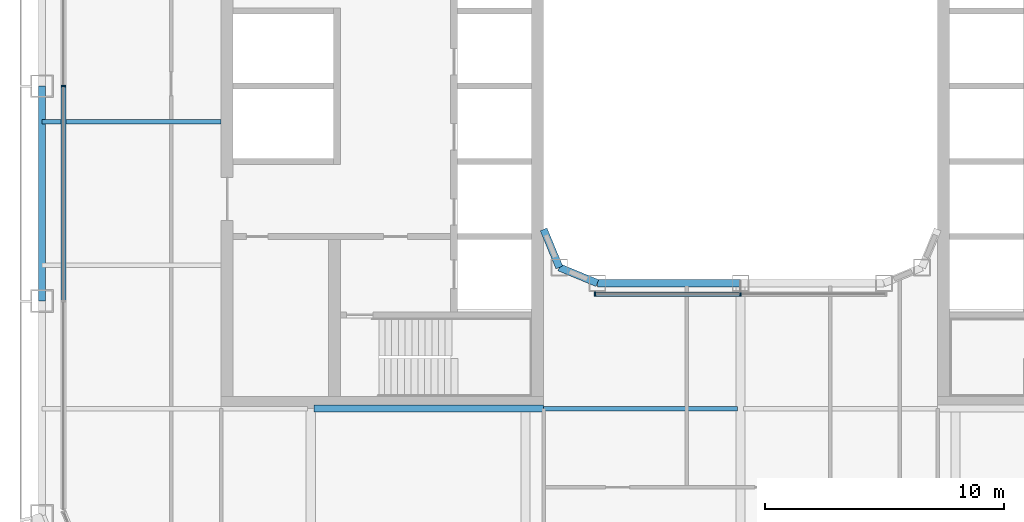
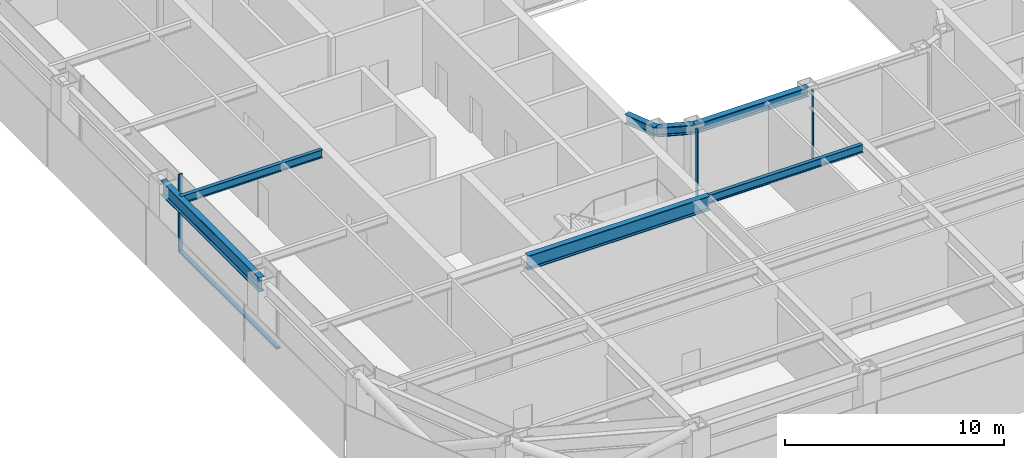
# One storey, part 3 of 23: 7 beams, 5 members, 2 elements without a shape of their own.
"""IFC4 building model written with IfcOpenShell, lengths in metres."""

from ifc_helpers import new_model, si_unit, direction, frame, origin, origin_2d, place, context, subcontext, project, spatial, rectangle, i_section, extrude, material, layer, layer_set, material_profile, profile_set, type_object, element, aggregate, save


model = new_model("IFC4")

# Units and contexts
model_context = context("Model", 3, precision=1e-05, world=origin(), true_north=direction((0.0, 1.0)))
body_context = subcontext(model_context, "Body", "Model", "MODEL_VIEW")
ifc_project = project(units=[si_unit("LENGTHUNIT", "METRE"), si_unit("AREAUNIT", "SQUARE_METRE"), si_unit("VOLUMEUNIT", "CUBIC_METRE"), si_unit("PLANEANGLEUNIT", "RADIAN"), si_unit("MASSUNIT", "GRAM", prefix="KILO")], contexts=[model_context])

# Site, building, storey
site_placement = place(None, origin())
site = spatial("IfcSite", under=ifc_project, at=site_placement, CompositionType="ELEMENT")
building_placement = place(site_placement, origin())
building = spatial("IfcBuilding", under=site, at=building_placement, Name="Siwar Civic Tower", CompositionType="ELEMENT")
storey_placement = place(building_placement, frame((0.0, 0.0, 131.699951171875)))
storey = spatial("IfcBuildingStorey", under=building, at=storey_placement, Name="L28", CompositionType="ELEMENT", Elevation=131.699951171875)

# Curtain wall, member
ifc_material_1 = material(Name="Aluminium and glass", Category="aluminium")
ifc_layer_1 = layer(ifc_material_1, 0.199951171875)
ifc_layer_set_1 = layer_set([ifc_layer_1], Name="Aluminium and glass")
curtain_wall_type_1 = type_object("IfcCurtainWallType", Name="ENV-CW-B", PredefinedType="NOTDEFINED", material=ifc_layer_set_1)
curtain_wall_1_placement = place(storey_placement, origin())
curtain_wall_1 = element("IfcCurtainWall", 1, at=curtain_wall_1_placement, inside=storey, type_object=curtain_wall_type_1, Name="Curtain wall B W", PredefinedType="NOTDEFINED")
ifc_material_2 = material(Name="Aluminium 6063-T6", Category="aluminium")
ifc_material_profile_1 = material_profile(ifc_material_2, rectangle(XDim=0.199951171875, YDim=0.06494140625, at=origin_2d()), Name="AL 200x65")
ifc_profile_set_1 = profile_set([ifc_material_profile_1], Name="Aluminium 6063-T6")
member_type_1 = type_object("IfcMemberType", Name="ENV-MULLION-B", PredefinedType="MULLION", material=ifc_profile_set_1)
member_1_placement = place(storey_placement, frame((-28.35009765625, 0.0, 0.0), z_axis=(0.0, 0.0, 1.0), x_axis=(1.0, 0.0, 0.0)))
member_1 = element("IfcMember", 2, at=member_1_placement, type_object=member_type_1, Name="Mullion B W 3", PredefinedType="MULLION", context=body_context, shape_type="SweptSolid", body=[
    extrude(rectangle(XDim=0.199951171875, YDim=0.06494140625, at=origin_2d()), origin(), (0.0, 0.0, 1.0), 4.35009765625),
])

# Curtain wall, members
ifc_material_3 = material(Name="Aluminium and glass", Category="aluminium")
ifc_layer_2 = layer(ifc_material_3, 0.179931640625)
ifc_layer_set_2 = layer_set([ifc_layer_2], Name="Aluminium and glass")
curtain_wall_type_2 = type_object("IfcCurtainWallType", Name="ENV-CW-W", PredefinedType="NOTDEFINED", material=ifc_layer_set_2)
curtain_wall_2_placement = place(storey_placement, origin())
curtain_wall_2 = element("IfcCurtainWall", 3, at=curtain_wall_2_placement, inside=storey, type_object=curtain_wall_type_2, Name="Curtain wall W WS", PredefinedType="NOTDEFINED")
ifc_material_4 = material(Name="Aluminium 6063-T6", Category="aluminium")
ifc_material_profile_2 = material_profile(ifc_material_4, rectangle(XDim=0.179931640625, YDim=0.06005859375, at=origin_2d()), Name="AL 180x60")
ifc_profile_set_2 = profile_set([ifc_material_profile_2], Name="Aluminium 6063-T6")
member_type_2 = type_object("IfcMemberType", Name="ENV-MULLION-W", PredefinedType="MULLION", material=ifc_profile_set_2)
member_2_placement = place(storey_placement, frame((-6.091552734375, -8.7099609375, 0.0), z_axis=(0.0, 0.0, 1.0), x_axis=(0.0, 1.0, 0.0)))
member_2 = element("IfcMember", 4, at=member_2_placement, type_object=member_type_2, Name="Mullion W WS 1", PredefinedType="MULLION", context=body_context, shape_type="SweptSolid", body=[
    extrude(rectangle(XDim=0.179931640625, YDim=0.06005859375, at=origin_2d()), origin(), (0.0, 0.0, 1.0), 4.35009765625),
])
member_3_placement = place(storey_placement, frame((0.0, -8.7099609375, 0.0), z_axis=(0.0, 0.0, 1.0), x_axis=(0.0, 1.0, 0.0)))
member_3 = element("IfcMember", 5, at=member_3_placement, type_object=member_type_2, Name="Mullion W WS 2", PredefinedType="MULLION", context=body_context, shape_type="SweptSolid", body=[
    extrude(rectangle(XDim=0.179931640625, YDim=0.06005859375, at=origin_2d()), origin(), (0.0, 0.0, 1.0), 4.35009765625),
])

# Member
ifc_material_5 = material(Name="Aluminium 6063-T6", Category="aluminium")
ifc_material_profile_3 = material_profile(ifc_material_5, rectangle(XDim=0.199951171875, YDim=0.110107421875, at=origin_2d()), Name="AL 200x110")
ifc_profile_set_3 = profile_set([ifc_material_profile_3], Name="Aluminium 6063-T6")
member_type_3 = type_object("IfcMemberType", Name="ENV-TRANSOM-B", PredefinedType="USERDEFINED", material=ifc_profile_set_3)
member_4_placement = place(storey_placement, frame((-28.35009765625, -0.032470703125, 0.054931640625), z_axis=(0.0, -1.0, 0.0), x_axis=(1.0, 0.0, 0.0)))
member_4 = element("IfcMember", 6, at=member_4_placement, type_object=member_type_3, Name="Transom B W 3", ObjectType="TRANSOM", PredefinedType="USERDEFINED", context=body_context, shape_type="SweptSolid", body=[
    extrude(rectangle(XDim=0.199951171875, YDim=0.110107421875, at=origin_2d()), origin(), (0.0, 0.0, 1.0), 8.93505859375),
])

aggregate(curtain_wall_1, [member_1, member_4])

ifc_material_6 = material(Name="Aluminium 6063-T6", Category="aluminium")
ifc_material_profile_4 = material_profile(ifc_material_6, rectangle(XDim=0.179931640625, YDim=0.10009765625, at=origin_2d()), Name="AL 180x100")
ifc_profile_set_4 = profile_set([ifc_material_profile_4], Name="Aluminium 6063-T6")
member_type_4 = type_object("IfcMemberType", Name="ENV-TRANSOM-W", PredefinedType="USERDEFINED", material=ifc_profile_set_4)
member_5_placement = place(storey_placement, frame((-6.0615234375, -8.7099609375, 0.050048828125), z_axis=(1.0, 0.0, 0.0), x_axis=(0.0, 1.0, 0.0)))
member_5 = element("IfcMember", 7, at=member_5_placement, type_object=member_type_4, Name="Transom W WS 1", ObjectType="TRANSOM", PredefinedType="USERDEFINED", context=body_context, shape_type="SweptSolid", body=[
    extrude(rectangle(XDim=0.179931640625, YDim=0.10009765625, at=origin_2d()), origin(), (0.0, 0.0, 1.0), 6.031494140625),
])

aggregate(curtain_wall_2, [member_2, member_3, member_5])

# Beams
ifc_material_7 = material(Name="Steel S355", Category="steel")
ifc_material_profile_5 = material_profile(ifc_material_7, i_section(OverallWidth=0.18994140625, OverallDepth=0.449951171875, WebThickness=0.009521484375, FlangeThickness=0.0146484375, FilletRadius=0.02099609375, at=origin_2d()), Name="IPE450")
ifc_profile_set_5 = profile_set([ifc_material_profile_5], Name="Steel S355")
beam_type_1 = type_object("IfcBeamType", Name="STR-FB-IPE450", PredefinedType="JOIST", material=ifc_profile_set_5)
beam_1_placement = place(storey_placement, frame((-8.25, -13.5, 4.125), z_axis=(1.0, 0.0, 0.0), x_axis=(0.0, 1.0, 0.0)))
element("IfcBeam", 8, at=beam_1_placement, inside=storey, type_object=beam_type_1, Name="L28/bm/F016", PredefinedType="JOIST", context=body_context, shape_type="SweptSolid", body=[
    extrude(i_section(OverallWidth=0.18994140625, OverallDepth=0.449951171875, WebThickness=0.009521484375, FlangeThickness=0.0146484375, FilletRadius=0.02099609375, at=origin_2d()), origin(), (0.0, 0.0, 1.0), 8.1201171875),
])
beam_2_placement = place(storey_placement, frame((-29.25, -1.5, 4.125), z_axis=(1.0, 0.0, 0.0), x_axis=(0.0, 1.0, 0.0)))
element("IfcBeam", 9, at=beam_2_placement, inside=storey, type_object=beam_type_1, Name="L28/bm/F023", PredefinedType="JOIST", context=body_context, shape_type="SweptSolid", body=[
    extrude(i_section(OverallWidth=0.18994140625, OverallDepth=0.449951171875, WebThickness=0.009521484375, FlangeThickness=0.0146484375, FilletRadius=0.02099609375, at=origin_2d()), origin(), (0.0, 0.0, 1.0), 7.5),
])
ifc_material_8 = material(Name="Steel S355", Category="steel")
ifc_material_profile_6 = material_profile(ifc_material_8, i_section(OverallWidth=0.300048828125, OverallDepth=0.800048828125, WebThickness=0.017578125, FlangeThickness=0.032958984375, FilletRadius=0.030029296875, at=origin_2d()), Name="HEB800")
ifc_profile_set_6 = profile_set([ifc_material_profile_6], Name="Steel S355")
beam_type_2 = type_object("IfcBeamType", Name="STR-PG-HEB800", PredefinedType="BEAM", material=ifc_profile_set_6)
beam_3_placement = place(storey_placement, frame((-17.8701171875, -13.5, 3.949951171875), z_axis=(1.0, 0.0, 0.0), x_axis=(0.0, 1.0, 0.0)))
element("IfcBeam", 10, at=beam_3_placement, inside=storey, type_object=beam_type_2, Name="L28/bm/F015", PredefinedType="BEAM", context=body_context, shape_type="SweptSolid", body=[
    extrude(i_section(OverallWidth=0.300048828125, OverallDepth=0.800048828125, WebThickness=0.017578125, FlangeThickness=0.032958984375, FilletRadius=0.030029296875, at=origin_2d()), origin(), (0.0, 0.0, 1.0), 9.6201171875),
])
ifc_material_9 = material(Name="Steel S355", Category="steel")
ifc_material_profile_7 = material_profile(ifc_material_9, i_section(OverallWidth=0.305908203125, OverallDepth=0.52392578125, WebThickness=0.02099609375, FlangeThickness=0.0400390625, FilletRadius=0.027099609375, at=origin_2d()), Name="HEM500")
ifc_profile_set_7 = profile_set([ifc_material_profile_7], Name="Steel S355")
beam_type_3 = type_object("IfcBeamType", Name="STR-RB-HEM500", PredefinedType="BEAM", material=ifc_profile_set_7)
beam_4_placement = place(storey_placement, frame((-7.591064453125, -7.591064453125, 4.088134765625), z_axis=(0.923901072997, -0.382631424892, 0.0), x_axis=(0.382631424892, 0.923901072997, 0.0)))
element("IfcBeam", 11, at=beam_4_placement, inside=storey, type_object=beam_type_3, Name="L28/bm/RS0", PredefinedType="BEAM", context=body_context, shape_type="SweptSolid", body=[
    extrude(i_section(OverallWidth=0.305908203125, OverallDepth=0.52392578125, WebThickness=0.02099609375, FlangeThickness=0.0400390625, FilletRadius=0.027099609375, at=origin_2d()), origin(), (0.0, 0.0, 1.0), 1.72216796875),
])
beam_5_placement = place(storey_placement, frame((-6.0, -8.25, 4.088134765625), z_axis=(1.0, 0.0, 0.0), x_axis=(0.0, 1.0, 0.0)))
element("IfcBeam", 12, at=beam_5_placement, inside=storey, type_object=beam_type_3, Name="L28/bm/RS1", PredefinedType="BEAM", context=body_context, shape_type="SweptSolid", body=[
    extrude(i_section(OverallWidth=0.305908203125, OverallDepth=0.52392578125, WebThickness=0.02099609375, FlangeThickness=0.0400390625, FilletRadius=0.027099609375, at=origin_2d()), origin(), (0.0, 0.0, 1.0), 6.0),
])
beam_6_placement = place(storey_placement, frame((-7.591064453125, -7.591064453125, 4.088134765625), z_axis=(-0.382631424892, 0.923901072997, 0.0), x_axis=(-0.923901072997, -0.382631424892, 0.0)))
element("IfcBeam", 13, at=beam_6_placement, inside=storey, type_object=beam_type_3, Name="L28/bm/RSEW", PredefinedType="BEAM", context=body_context, shape_type="SweptSolid", body=[
    extrude(i_section(OverallWidth=0.305908203125, OverallDepth=0.52392578125, WebThickness=0.02099609375, FlangeThickness=0.0400390625, FilletRadius=0.027099609375, at=origin_2d()), origin(), (0.0, 0.0, 1.0), 1.72216796875),
])
ifc_material_10 = material(Name="Steel S355", Category="steel")
ifc_material_profile_8 = material_profile(ifc_material_10, i_section(OverallWidth=0.300048828125, OverallDepth=0.800048828125, WebThickness=0.017578125, FlangeThickness=0.032958984375, FilletRadius=0.030029296875, at=origin_2d()), Name="HEB800")
ifc_profile_set_8 = profile_set([ifc_material_profile_8], Name="Steel S355")
beam_type_4 = type_object("IfcBeamType", Name="STR-SB-HEB800", PredefinedType="BEAM", material=ifc_profile_set_8)
beam_7_placement = place(storey_placement, frame((-29.25, 0.0, 3.949951171875), z_axis=(0.0, -1.0, 0.0), x_axis=(1.0, 0.0, 0.0)))
element("IfcBeam", 14, at=beam_7_placement, inside=storey, type_object=beam_type_4, Name="L28/bm/SW-2", PredefinedType="BEAM", context=body_context, shape_type="SweptSolid", body=[
    extrude(i_section(OverallWidth=0.300048828125, OverallDepth=0.800048828125, WebThickness=0.017578125, FlangeThickness=0.032958984375, FilletRadius=0.030029296875, at=origin_2d()), origin(), (0.0, 0.0, 1.0), 9.0),
])

save(model, "model.ifc")
